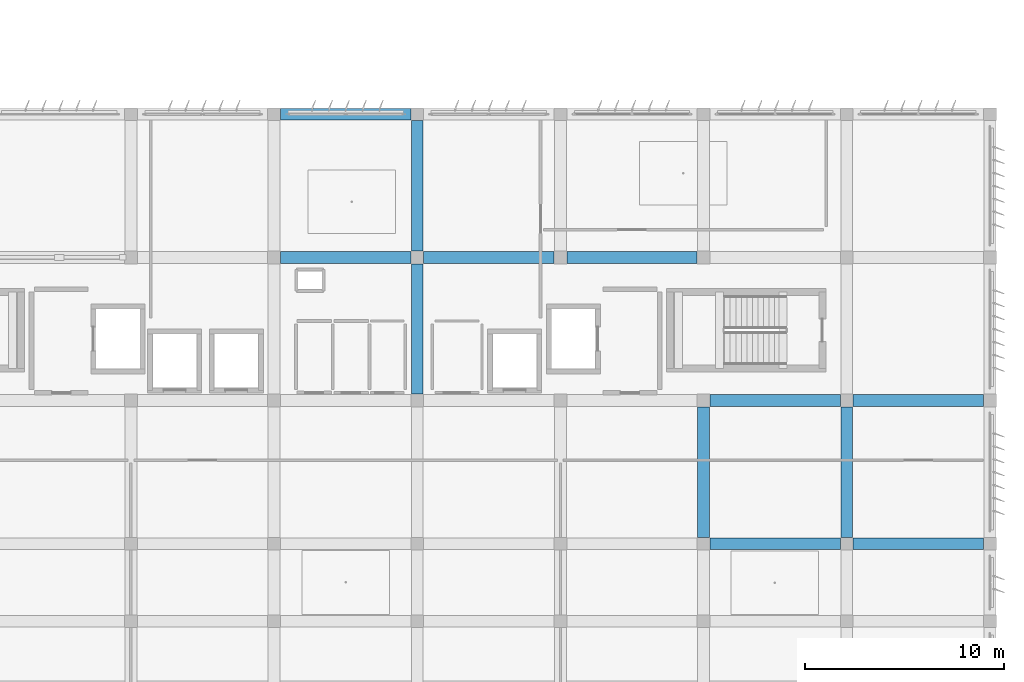
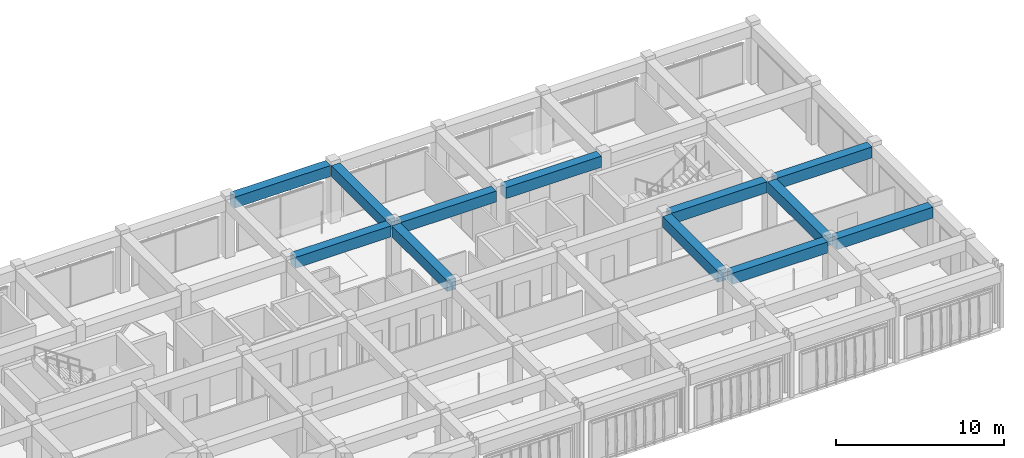
# One storey, part 23 of 56: 12 beams.
"""IFC4 building model written with IfcOpenShell, lengths in metres."""

from ifc_helpers import new_model, si_unit, direction, frame, origin, origin_2d, place, context, subcontext, project, spatial, rectangle, extrude, material, material_profile, profile_set, type_object, element, save


model = new_model("IFC4")

# Units and contexts
model_context = context("Model", 3, precision=1e-05, world=origin(), true_north=direction((0.0, 1.0)))
body_context = subcontext(model_context, "Body", "Model", "MODEL_VIEW")
ifc_project = project(units=[si_unit("LENGTHUNIT", "METRE"), si_unit("AREAUNIT", "SQUARE_METRE"), si_unit("VOLUMEUNIT", "CUBIC_METRE"), si_unit("PLANEANGLEUNIT", "RADIAN"), si_unit("MASSUNIT", "GRAM", prefix="KILO")], contexts=[model_context])

# Site, building, storey
site_placement = place(None, origin())
site = spatial("IfcSite", under=ifc_project, at=site_placement, CompositionType="ELEMENT")
building_placement = place(site_placement, origin())
building = spatial("IfcBuilding", under=site, at=building_placement, Name="Kazehaya Institute of Natural Sciences", CompositionType="ELEMENT")
storey_placement = place(building_placement, frame((0.0, 0.0, 28.800048828125)))
storey = spatial("IfcBuildingStorey", under=building, at=storey_placement, Name="L06", CompositionType="ELEMENT", Elevation=28.800048828125)

# Beams
ifc_material = material(Name="Concrete Fc36", Category="concrete")
ifc_material_profile = material_profile(ifc_material, rectangle(XDim=0.60009765625, YDim=0.800048828125, at=origin_2d()), Name="RC-600x800")
ifc_profile_set = profile_set([ifc_material_profile], Name="Concrete Fc36")
beam_type = type_object("IfcBeamType", Name="BM-G-600x800", PredefinedType="BEAM", material=ifc_profile_set)
for number, where, z_axis, x_axis, name in (
    (1, (105.324951171875, 14.0, 3.829833984375), (1.0, 0.0, 0.0), (0.0, 1.0, 0.0), "L06 primary X girder BMX-L06-1050-140"),
    (2, (112.52490234375, 14.0, 3.829833984375), (1.0, 0.0, 0.0), (0.0, 1.0, 0.0), "L06 primary X girder BMX-L06-1122-140"),
    (3, (105.324951171875, 21.199951171875, 3.829833984375), (1.0, 0.0, 0.0), (0.0, 1.0, 0.0), "L06 primary X girder BMX-L06-1050-212"),
    (4, (112.52490234375, 21.199951171875, 3.829833984375), (1.0, 0.0, 0.0), (0.0, 1.0, 0.0), "L06 primary X girder BMX-L06-1122-212"),
):
    element("IfcBeam", number, at=place(storey_placement, frame(where, z_axis=z_axis, x_axis=x_axis)), inside=storey, type_object=beam_type, Name=name, PredefinedType="BEAM", context=body_context, shape_type="SweptSolid", body=[
        extrude(rectangle(XDim=0.60009765625, YDim=0.800048828125, at=origin_2d()), origin(), (0.0, 0.0, 1.0), 6.550048828125),
    ])
beam_1_placement = place(storey_placement, frame((83.72509765625, 28.39990234375, 3.829833984375), z_axis=(1.0, 0.0, 0.0), x_axis=(0.0, 1.0, 0.0)))
element("IfcBeam", 5, at=beam_1_placement, inside=storey, type_object=beam_type, Name="L06 primary X girder BMX-L06-834-284", PredefinedType="BEAM", context=body_context, shape_type="SweptSolid", body=[
    extrude(rectangle(XDim=0.60009765625, YDim=0.800048828125, at=origin_2d()), origin(), (0.0, 0.0, 1.0), 6.5498046875),
])
for number, where, z_axis, x_axis, name in (
    (6, (90.925048828125, 28.39990234375, 3.829833984375), (1.0, 0.0, 0.0), (0.0, 1.0, 0.0), "L06 primary X girder BMX-L06-906-284"),
    (7, (98.125, 28.39990234375, 3.829833984375), (1.0, 0.0, 0.0), (0.0, 1.0, 0.0), "L06 primary X girder BMX-L06-978-284"),
):
    element("IfcBeam", number, at=place(storey_placement, frame(where, z_axis=z_axis, x_axis=x_axis)), inside=storey, type_object=beam_type, Name=name, PredefinedType="BEAM", context=body_context, shape_type="SweptSolid", body=[
        extrude(rectangle(XDim=0.60009765625, YDim=0.800048828125, at=origin_2d()), origin(), (0.0, 0.0, 1.0), 6.550048828125),
    ])
beam_2_placement = place(storey_placement, frame((83.72509765625, 35.60009765625, 3.829833984375), z_axis=(1.0, 0.0, 0.0), x_axis=(0.0, 1.0, 0.0)))
element("IfcBeam", 8, at=beam_2_placement, inside=storey, type_object=beam_type, Name="L06 primary X girder BMX-L06-834-356", PredefinedType="BEAM", context=body_context, shape_type="SweptSolid", body=[
    extrude(rectangle(XDim=0.60009765625, YDim=0.800048828125, at=origin_2d()), origin(), (0.0, 0.0, 1.0), 6.5498046875),
])
beam_3_placement = place(storey_placement, frame((90.60009765625, 21.52490234375, 3.829833984375), z_axis=(0.0, 1.0, 0.0), x_axis=(-1.0, 0.0, 0.0)))
element("IfcBeam", 9, at=beam_3_placement, inside=storey, type_object=beam_type, Name="L06 primary Y girder BMY-L06-906-212", PredefinedType="BEAM", context=body_context, shape_type="SweptSolid", body=[
    extrude(rectangle(XDim=0.60009765625, YDim=0.800048828125, at=origin_2d()), origin(), (0.0, 0.0, 1.0), 6.550048828125),
])
beam_4_placement = place(storey_placement, frame((90.60009765625, 28.72509765625, 3.829833984375), z_axis=(0.0, 1.0, 0.0), x_axis=(-1.0, 0.0, 0.0)))
element("IfcBeam", 10, at=beam_4_placement, inside=storey, type_object=beam_type, Name="L06 primary Y girder BMY-L06-906-284", PredefinedType="BEAM", context=body_context, shape_type="SweptSolid", body=[
    extrude(rectangle(XDim=0.60009765625, YDim=0.800048828125, at=origin_2d()), origin(), (0.0, 0.0, 1.0), 6.5498046875),
])
for number, where, z_axis, x_axis, name in (
    (11, (105.0, 14.324951171875, 3.829833984375), (0.0, 1.0, 0.0), (-1.0, 0.0, 0.0), "L06 primary Y girder BMY-L06-1050-140"),
    (12, (112.199951171875, 14.324951171875, 3.829833984375), (0.0, 1.0, 0.0), (-1.0, 0.0, 0.0), "L06 primary Y girder BMY-L06-1122-140"),
):
    element("IfcBeam", number, at=place(storey_placement, frame(where, z_axis=z_axis, x_axis=x_axis)), inside=storey, type_object=beam_type, Name=name, PredefinedType="BEAM", context=body_context, shape_type="SweptSolid", body=[
        extrude(rectangle(XDim=0.60009765625, YDim=0.800048828125, at=origin_2d()), origin(), (0.0, 0.0, 1.0), 6.550048828125),
    ])

save(model, "model.ifc")
